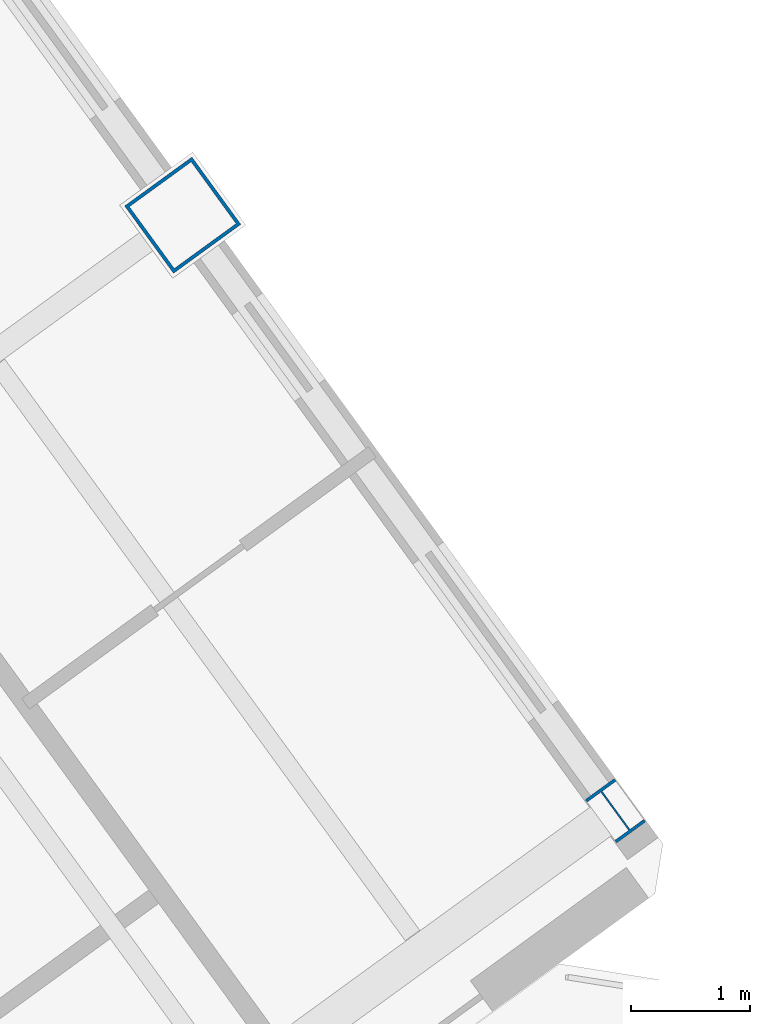
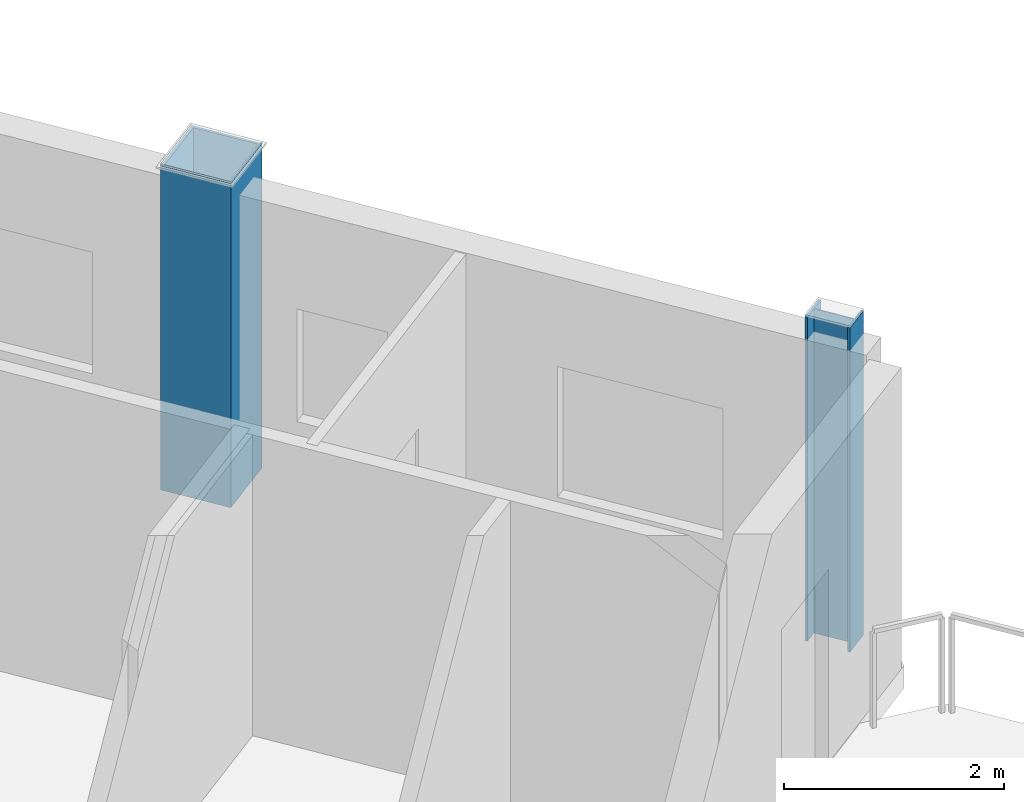
# One storey, part 4 of 25: 2 columns.
"""IFC4 building model written with IfcOpenShell, lengths in metres."""

from ifc_helpers import new_model, si_unit, direction, frame, origin, origin_2d, place, context, subcontext, project, spatial, hollow_rectangle, i_section, extrude, source, transform, mapped, material, material_profile, profile_set, type_object, element, save


model = new_model("IFC4")

# Units and contexts
model_context = context("Model", 3, precision=1e-05, world=origin(), true_north=direction((0.0, 1.0)))
body_context = subcontext(model_context, "Body", "Model", "MODEL_VIEW")
ifc_project = project(units=[si_unit("LENGTHUNIT", "METRE"), si_unit("AREAUNIT", "SQUARE_METRE"), si_unit("VOLUMEUNIT", "CUBIC_METRE"), si_unit("PLANEANGLEUNIT", "RADIAN"), si_unit("MASSUNIT", "GRAM", prefix="KILO")], contexts=[model_context])

# Site, building, storey
site_placement = place(None, origin())
site = spatial("IfcSite", under=ifc_project, at=site_placement, CompositionType="ELEMENT")
building_placement = place(site_placement, origin())
building = spatial("IfcBuilding", under=site, at=building_placement, Name="Tlacorven Tower", CompositionType="ELEMENT")
storey_placement = place(building_placement, frame((0.0, 0.0, 259.199951171875)))
storey = spatial("IfcBuildingStorey", under=building, at=storey_placement, Name="L65", CompositionType="ELEMENT", Elevation=259.199951171875)

# Columns
ifc_material_1 = material(Name="Steel S355J2", Category="steel")
ifc_material_profile_1 = material_profile(ifc_material_1, i_section(OverallWidth=0.300048828125, OverallDepth=0.449951171875, WebThickness=0.013916015625, FlangeThickness=0.02587890625, at=origin_2d()), Name="HEB 450")
ifc_profile_set_1 = profile_set([ifc_material_profile_1], Name="Steel S355J2")
column_type_1 = type_object("IfcColumnType", Name="COL-TWR-P3", PredefinedType="COLUMN", material=ifc_profile_set_1)
shared_shape_1 = source(origin(), body_context, "Body", "SweptSolid", [
    extrude(i_section(OverallWidth=0.300048828125, OverallDepth=0.449951171875, WebThickness=0.013916015625, FlangeThickness=0.02587890625, at=origin_2d()), origin(), (0.0, 0.0, 1.0), 3.60009765625),
])
column_1_placement = place(storey_placement, frame((70.911865234375, 18.337646484375, 0.0), z_axis=(0.0, 0.0, 1.0), x_axis=(0.809016994375, 0.587785252292, 0.0)))
element("IfcColumn", 1, at=column_1_placement, inside=storey, type_object=column_type_1, Name="L65 column COL-L65-E4-1", PredefinedType="COLUMN", context=body_context, shape_type="MappedRepresentation", body=[
    mapped(shared_shape_1, transform((0.0, 0.0, 0.0), scale=1.0)),
])
ifc_material_2 = material(Name="Steel S460M", Category="steel")
ifc_material_profile_2 = material_profile(ifc_material_2, hollow_rectangle(XDim=0.699951171875, YDim=0.699951171875, WallThickness=0.028076171875, at=origin_2d()), Name="BOX 700X700X28")
ifc_profile_set_2 = profile_set([ifc_material_profile_2], Name="Steel S460M")
column_type_2 = type_object("IfcColumnType", Name="COL-TWR-S4", PredefinedType="COLUMN", material=ifc_profile_set_2)
shared_shape_2 = source(origin(), body_context, "Body", "SweptSolid", [
    extrude(hollow_rectangle(XDim=0.699951171875, YDim=0.699951171875, WallThickness=0.028076171875, at=origin_2d()), origin(), (0.0, 0.0, 1.0), 3.60009765625),
])
column_2_placement = place(storey_placement, frame((67.267822265625, 23.353515625, 0.0), z_axis=(0.0, 0.0, 1.0), x_axis=(0.809016994375, 0.587785252292, 0.0)))
element("IfcColumn", 2, at=column_2_placement, inside=storey, type_object=column_type_2, Name="L65 column COL-L65-E4-2", PredefinedType="COLUMN", context=body_context, shape_type="MappedRepresentation", body=[
    mapped(shared_shape_2, transform((0.0, 0.0, 0.0), scale=1.0)),
])

save(model, "model.ifc")
